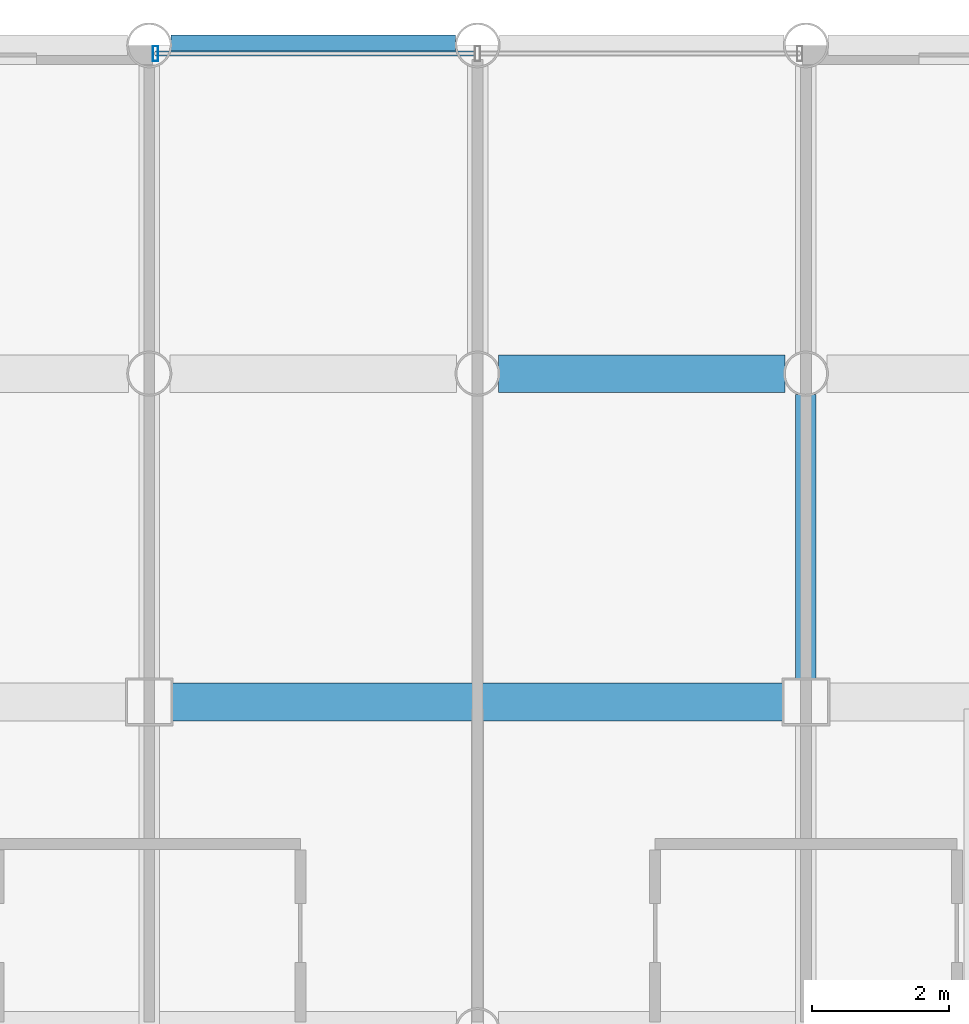
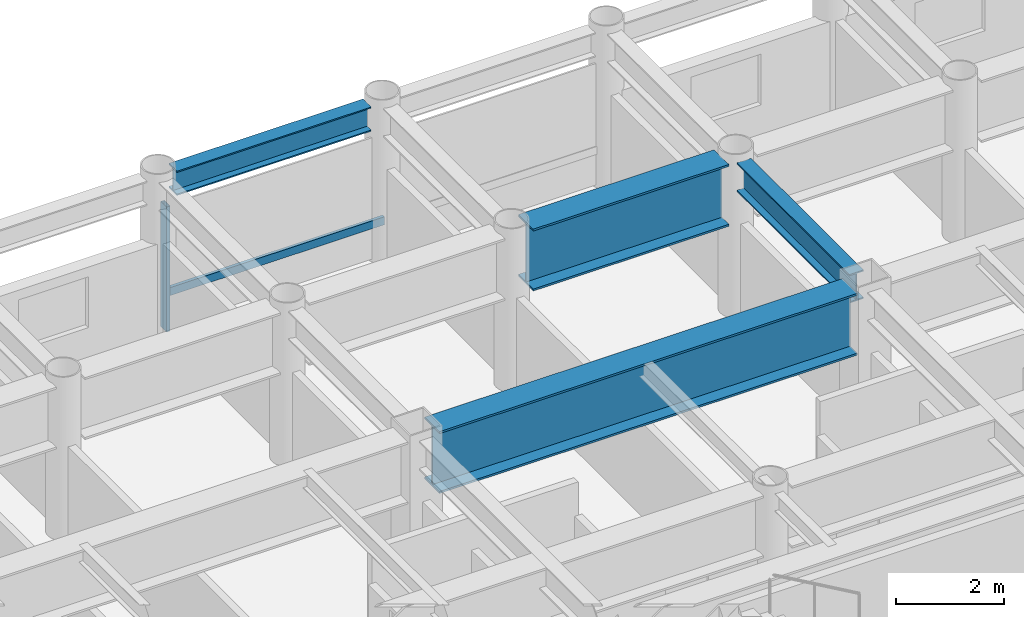
# One storey, part 12 of 23: 4 beams, 2 members, 1 element without a shape of its own.
"""IFC4 building model written with IfcOpenShell, lengths in metres."""

from ifc_helpers import new_model, si_unit, direction, frame, origin, origin_2d, place, context, subcontext, project, spatial, hollow_rectangle, i_section, extrude, material, layer, layer_set, material_profile, profile_set, type_object, element, aggregate, save


model = new_model("IFC4")

# Units and contexts
model_context = context("Model", 3, precision=1e-05, world=origin(), true_north=direction((0.0, 1.0)))
body_context = subcontext(model_context, "Body", "Model", "MODEL_VIEW")
ifc_project = project(units=[si_unit("LENGTHUNIT", "METRE"), si_unit("AREAUNIT", "SQUARE_METRE"), si_unit("VOLUMEUNIT", "CUBIC_METRE"), si_unit("PLANEANGLEUNIT", "RADIAN"), si_unit("MASSUNIT", "GRAM", prefix="KILO")], contexts=[model_context])

# Site, building, storey
site_placement = place(None, origin())
site = spatial("IfcSite", under=ifc_project, at=site_placement, CompositionType="ELEMENT")
building_placement = place(site_placement, origin())
building = spatial("IfcBuilding", under=site, at=building_placement, Name="Kallvorn Hotel Tower", CompositionType="ELEMENT")
storey_placement = place(building_placement, frame((0.0, 0.0, 124.800048828125)))
storey = spatial("IfcBuildingStorey", under=building, at=storey_placement, Name="L30", CompositionType="ELEMENT", Elevation=124.800048828125)

# Beams
ifc_material_1 = material(Name="Structural steel S355JR", Category="steel")
ifc_material_profile_1 = material_profile(ifc_material_1, i_section(OverallWidth=0.300048828125, OverallDepth=0.550048828125, WebThickness=0.014892578125, FlangeThickness=0.029052734375, at=origin_2d()), Name="HE 550 B")
ifc_profile_set_1 = profile_set([ifc_material_profile_1], Name="Structural steel S355JR")
beam_type_1 = type_object("IfcBeamType", Name="BM_HE550B", PredefinedType="SPANDREL", material=ifc_profile_set_1)
beam_1_placement = place(storey_placement, frame((-4.47998046875, 24.0, 3.244873046875), z_axis=(1.0, 0.0, 0.0), x_axis=(0.0, 1.0, 0.0)))
element("IfcBeam", 1, at=beam_1_placement, inside=storey, type_object=beam_type_1, Name="L31 Perimeter Spandrel 168", PredefinedType="SPANDREL", context=body_context, shape_type="SweptSolid", body=[
    extrude(i_section(OverallWidth=0.300048828125, OverallDepth=0.550048828125, WebThickness=0.014892578125, FlangeThickness=0.029052734375, at=origin_2d()), origin(), (0.0, 0.0, 1.0), 4.159912109375),
])
ifc_material_2 = material(Name="Structural steel S355JR", Category="steel")
ifc_material_profile_2 = material_profile(ifc_material_2, i_section(OverallWidth=0.300048828125, OverallDepth=0.64990234375, WebThickness=0.01611328125, FlangeThickness=0.031005859375, at=origin_2d()), Name="HE 650 B")
ifc_profile_set_2 = profile_set([ifc_material_profile_2], Name="Structural steel S355JR")
beam_type_2 = type_object("IfcBeamType", Name="BM_HE650B", PredefinedType="BEAM", material=ifc_profile_set_2)
beam_2_placement = place(storey_placement, frame((4.800048828125, 14.72509765625, 3.195068359375), z_axis=(0.0, 1.0, 0.0), x_axis=(-1.0, 0.0, 0.0)))
element("IfcBeam", 2, at=beam_2_placement, inside=storey, type_object=beam_type_2, Name="L31 Primary Y-Girder 117", PredefinedType="BEAM", context=body_context, shape_type="SweptSolid", body=[
    extrude(i_section(OverallWidth=0.300048828125, OverallDepth=0.64990234375, WebThickness=0.01611328125, FlangeThickness=0.031005859375, at=origin_2d()), origin(), (0.0, 0.0, 1.0), 4.169921875),
])
ifc_material_3 = material(Name="Structural steel S355JR", Category="steel")
ifc_material_profile_3 = material_profile(ifc_material_3, i_section(OverallWidth=0.550048828125, OverallDepth=1.39990234375, WebThickness=0.02490234375, FlangeThickness=0.044921875, at=origin_2d()), Name="PG 1400x550x25x45")
ifc_profile_set_3 = profile_set([ifc_material_profile_3], Name="Structural steel S355JR")
beam_type_3 = type_object("IfcBeamType", Name="BM_PG_1400", PredefinedType="BEAM", material=ifc_profile_set_3)
beam_3_placement = place(storey_placement, frame((-4.47509765625, 14.39990234375, 2.820068359375), z_axis=(1.0, 0.0, 0.0), x_axis=(0.0, 1.0, 0.0)))
element("IfcBeam", 3, at=beam_3_placement, inside=storey, type_object=beam_type_3, Name="L31 Primary X-Girder 55", PredefinedType="BEAM", context=body_context, shape_type="SweptSolid", body=[
    extrude(i_section(OverallWidth=0.550048828125, OverallDepth=1.39990234375, WebThickness=0.02490234375, FlangeThickness=0.044921875, at=origin_2d()), origin(), (0.0, 0.0, 1.0), 8.9501953125),
])
beam_4_placement = place(storey_placement, frame((0.304931640625, 19.199951171875, 2.820068359375), z_axis=(1.0, 0.0, 0.0), x_axis=(0.0, 1.0, 0.0)))
element("IfcBeam", 4, at=beam_4_placement, inside=storey, type_object=beam_type_3, Name="L31 Primary X-Girder 67", PredefinedType="BEAM", context=body_context, shape_type="SweptSolid", body=[
    extrude(i_section(OverallWidth=0.550048828125, OverallDepth=1.39990234375, WebThickness=0.02490234375, FlangeThickness=0.044921875, at=origin_2d()), origin(), (0.0, 0.0, 1.0), 4.190185546875),
])

# Curtain wall, members
ifc_material_4 = material(Name="Thermally broken black-anodised aluminium AA 6063-T6", Category="aluminium")
ifc_layer = layer(ifc_material_4, 0.2099609375)
ifc_layer_set = layer_set([ifc_layer], Name="CW_SYS_4_HOTEL_MID")
curtain_wall_type = type_object("IfcCurtainWallType", Name="CW_SYS_4_HOTEL_MID", PredefinedType="USERDEFINED", material=ifc_layer_set)
curtain_wall_placement = place(storey_placement, origin())
curtain_wall = element("IfcCurtainWall", 5, at=curtain_wall_placement, inside=storey, type_object=curtain_wall_type, Name="L30 Dark-Glass Curtain Wall CW-L30-NC", ObjectType="UNITISED CURTAIN WALL", PredefinedType="USERDEFINED")
ifc_material_5 = material(Name="Thermally broken black-anodised aluminium AA 6063-T6", Category="aluminium")
ifc_material_profile_4 = material_profile(ifc_material_5, hollow_rectangle(XDim=0.080078125, YDim=0.219970703125, WallThickness=0.0048828125, at=origin_2d()), Name="MUL 220x80")
ifc_profile_set_4 = profile_set([ifc_material_profile_4], Name="Thermally broken black-anodised aluminium AA 6063-T6")
member_type_1 = type_object("IfcMemberType", Name="CW_MULLION_220x80", PredefinedType="MULLION", material=ifc_profile_set_4)
member_1_placement = place(storey_placement, frame((-4.7099609375, 23.8798828125, 0.02001953125), z_axis=(0.0, 0.0, 1.0), x_axis=(1.0, 0.0, 0.0)))
member_1 = element("IfcMember", 6, at=member_1_placement, type_object=member_type_1, Name="CW-L30-NC Mullion 00", PredefinedType="MULLION", context=body_context, shape_type="SweptSolid", body=[
    extrude(hollow_rectangle(XDim=0.080078125, YDim=0.219970703125, WallThickness=0.0048828125, at=origin_2d()), origin(), (0.0, 0.0, 1.0), 2.829833984375),
])
ifc_material_6 = material(Name="Thermally broken black-anodised aluminium AA 6063-T6", Category="aluminium")
ifc_material_profile_5 = material_profile(ifc_material_6, hollow_rectangle(XDim=0.070068359375, YDim=0.179931640625, WallThickness=0.00390625, at=origin_2d()), Name="TRN 180x70")
ifc_profile_set_5 = profile_set([ifc_material_profile_5], Name="Thermally broken black-anodised aluminium AA 6063-T6")
member_type_2 = type_object("IfcMemberType", Name="CW_TRANSOM_180x70", PredefinedType="USERDEFINED", material=ifc_profile_set_5)
member_2_placement = place(storey_placement, frame((-4.7099609375, 23.8798828125, 0.849853515625), z_axis=(1.0, 0.0, 0.0), x_axis=(0.0, 1.0, 0.0)))
member_2 = element("IfcMember", 7, at=member_2_placement, type_object=member_type_2, Name="CW-L30-NC Transom 00M", ObjectType="TRANSOM", PredefinedType="USERDEFINED", context=body_context, shape_type="SweptSolid", body=[
    extrude(hollow_rectangle(XDim=0.070068359375, YDim=0.179931640625, WallThickness=0.00390625, at=origin_2d()), origin(), (0.0, 0.0, 1.0), 4.669921875),
])
aggregate(curtain_wall, [member_1, member_2])

save(model, "model.ifc")
